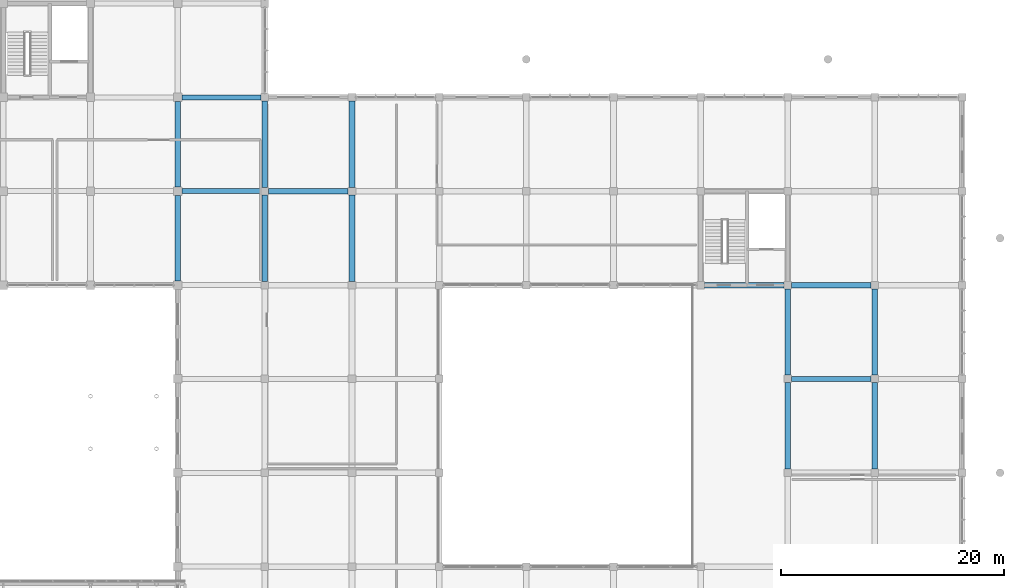
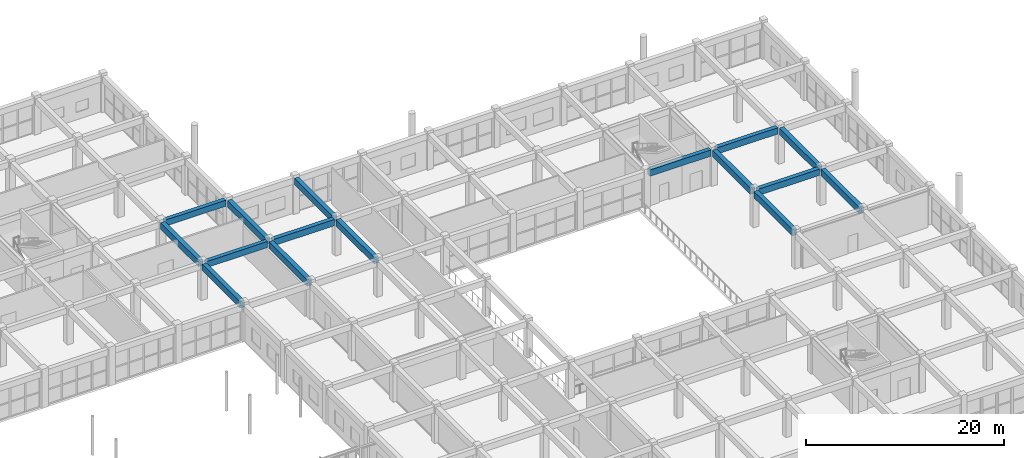
# One storey, part 106 of 175: 16 beams.
"""IFC4 building model written with IfcOpenShell, lengths in metres."""

from ifc_helpers import new_model, si_unit, direction, frame, origin, origin_2d, place, context, subcontext, project, spatial, rectangle, extrude, material, material_profile, profile_set, type_object, element, save


model = new_model("IFC4")

# Units and contexts
model_context = context("Model", 3, precision=1e-05, world=origin(), true_north=direction((0.0, 1.0)))
body_context = subcontext(model_context, "Body", "Model", "MODEL_VIEW")
ifc_project = project(units=[si_unit("LENGTHUNIT", "METRE"), si_unit("AREAUNIT", "SQUARE_METRE"), si_unit("VOLUMEUNIT", "CUBIC_METRE"), si_unit("PLANEANGLEUNIT", "RADIAN"), si_unit("MASSUNIT", "GRAM", prefix="KILO")], contexts=[model_context])

# Site, building, storey
site_placement = place(None, origin())
site = spatial("IfcSite", under=ifc_project, at=site_placement, CompositionType="ELEMENT")
building_placement = place(site_placement, origin())
building = spatial("IfcBuilding", under=site, at=building_placement, Name="Zizhar Promenade General Hospital", CompositionType="ELEMENT")
storey_placement = place(building_placement, frame((0.0, 0.0, 4.800048828125)))
storey = spatial("IfcBuildingStorey", under=building, at=storey_placement, Name="L01", CompositionType="ELEMENT", Elevation=4.800048828125)

# Beams
ifc_material_1 = material(Name="Concrete C35/45", Category="concrete")
ifc_material_profile_1 = material_profile(ifc_material_1, rectangle(XDim=0.449951171875, YDim=0.75, at=origin_2d()))
ifc_profile_set_1 = profile_set([ifc_material_profile_1], Name="Concrete C35/45")
beam_type_1 = type_object("IfcBeamType", Name="BM-RC-450x750", PredefinedType="BEAM", material=ifc_profile_set_1)
for number, where, z_axis, x_axis, name in (
    (1, (125.175048828125, 100.800048828125, 4.094970703125), (1.0, 0.0, 0.0), (0.0, 1.0, 0.0), "Grid Beam X L01 (16-12)"),
    (2, (125.175048828125, 109.199951171875, 4.094970703125), (1.0, 0.0, 0.0), (0.0, 1.0, 0.0), "Grid Beam X L01 (16-13)"),
):
    element("IfcBeam", number, at=place(storey_placement, frame(where, z_axis=z_axis, x_axis=x_axis)), inside=storey, type_object=beam_type_1, Name=name, PredefinedType="BEAM", context=body_context, shape_type="SweptSolid", body=[
        extrude(rectangle(XDim=0.449951171875, YDim=0.75, at=origin_2d()), origin(), (0.0, 0.0, 1.0), 7.0849609375),
    ])
ifc_material_2 = material(Name="Concrete C35/45", Category="concrete")
ifc_material_profile_2 = material_profile(ifc_material_2, rectangle(XDim=0.47998046875, YDim=0.780029296875, at=origin_2d()))
ifc_profile_set_2 = profile_set([ifc_material_profile_2], Name="Concrete C35/45")
beam_type_2 = type_object("IfcBeamType", Name="BM-RC-480x780", PredefinedType="BEAM", material=ifc_profile_set_2)
for number, where, z_axis, x_axis, name in (
    (3, (132.93994140625, 100.800048828125, 4.079833984375), (1.0, 0.0, 0.0), (0.0, 1.0, 0.0), "Grid Beam X L01 (17-12)"),
    (4, (171.93994140625, 92.39990234375, 4.079833984375), (1.0, 0.0, 0.0), (0.0, 1.0, 0.0), "Grid Beam X L01 (22-11)"),
    (5, (179.739990234375, 84.0, 4.079833984375), (1.0, 0.0, 0.0), (0.0, 1.0, 0.0), "Grid Beam X L01 (23-10)"),
    (6, (179.739990234375, 92.39990234375, 4.079833984375), (1.0, 0.0, 0.0), (0.0, 1.0, 0.0), "Grid Beam X L01 (23-11)"),
):
    element("IfcBeam", number, at=place(storey_placement, frame(where, z_axis=z_axis, x_axis=x_axis)), inside=storey, type_object=beam_type_2, Name=name, PredefinedType="BEAM", context=body_context, shape_type="SweptSolid", body=[
        extrude(rectangle(XDim=0.47998046875, YDim=0.780029296875, at=origin_2d()), origin(), (0.0, 0.0, 1.0), 7.1201171875),
    ])
ifc_material_3 = material(Name="Concrete C35/45", Category="concrete")
ifc_material_profile_3 = material_profile(ifc_material_3, rectangle(XDim=0.5, YDim=0.800048828125, at=origin_2d()))
ifc_profile_set_3 = profile_set([ifc_material_profile_3], Name="Concrete C35/45")
beam_type_3 = type_object("IfcBeamType", Name="BM-RC-500x800", PredefinedType="BEAM", material=ifc_profile_set_3)
beam_1_placement = place(storey_placement, frame((124.800048828125, 92.77490234375, 4.070068359375), z_axis=(0.0, 1.0, 0.0), x_axis=(-1.0, 0.0, 0.0)))
element("IfcBeam", 7, at=beam_1_placement, inside=storey, type_object=beam_type_3, Name="Grid Beam Y L01 (16-11)", PredefinedType="BEAM", context=body_context, shape_type="SweptSolid", body=[
    extrude(rectangle(XDim=0.5, YDim=0.800048828125, at=origin_2d()), origin(), (0.0, 0.0, 1.0), 7.650146484375),
])
beam_2_placement = place(storey_placement, frame((124.800048828125, 101.175048828125, 4.070068359375), z_axis=(0.0, 1.0, 0.0), x_axis=(-1.0, 0.0, 0.0)))
element("IfcBeam", 8, at=beam_2_placement, inside=storey, type_object=beam_type_3, Name="Grid Beam Y L01 (16-12)", PredefinedType="BEAM", context=body_context, shape_type="SweptSolid", body=[
    extrude(rectangle(XDim=0.5, YDim=0.800048828125, at=origin_2d()), origin(), (0.0, 0.0, 1.0), 7.64990234375),
])
beam_3_placement = place(storey_placement, frame((132.60009765625, 92.739990234375, 4.070068359375), z_axis=(0.0, 1.0, 0.0), x_axis=(-1.0, 0.0, 0.0)))
element("IfcBeam", 9, at=beam_3_placement, inside=storey, type_object=beam_type_3, Name="Grid Beam Y L01 (17-11)", PredefinedType="BEAM", context=body_context, shape_type="SweptSolid", body=[
    extrude(rectangle(XDim=0.5, YDim=0.800048828125, at=origin_2d()), origin(), (0.0, 0.0, 1.0), 7.719970703125),
])
beam_4_placement = place(storey_placement, frame((132.60009765625, 101.139892578125, 4.070068359375), z_axis=(0.0, 1.0, 0.0), x_axis=(-1.0, 0.0, 0.0)))
element("IfcBeam", 10, at=beam_4_placement, inside=storey, type_object=beam_type_3, Name="Grid Beam Y L01 (17-12)", PredefinedType="BEAM", context=body_context, shape_type="SweptSolid", body=[
    extrude(rectangle(XDim=0.5, YDim=0.800048828125, at=origin_2d()), origin(), (0.0, 0.0, 1.0), 7.72021484375),
])
beam_5_placement = place(storey_placement, frame((140.39990234375, 92.739990234375, 4.070068359375), z_axis=(0.0, 1.0, 0.0), x_axis=(-1.0, 0.0, 0.0)))
element("IfcBeam", 11, at=beam_5_placement, inside=storey, type_object=beam_type_3, Name="Grid Beam Y L01 (18-11)", PredefinedType="BEAM", context=body_context, shape_type="SweptSolid", body=[
    extrude(rectangle(XDim=0.5, YDim=0.800048828125, at=origin_2d()), origin(), (0.0, 0.0, 1.0), 7.719970703125),
])
beam_6_placement = place(storey_placement, frame((140.39990234375, 101.139892578125, 4.070068359375), z_axis=(0.0, 1.0, 0.0), x_axis=(-1.0, 0.0, 0.0)))
element("IfcBeam", 12, at=beam_6_placement, inside=storey, type_object=beam_type_3, Name="Grid Beam Y L01 (18-12)", PredefinedType="BEAM", context=body_context, shape_type="SweptSolid", body=[
    extrude(rectangle(XDim=0.5, YDim=0.800048828125, at=origin_2d()), origin(), (0.0, 0.0, 1.0), 7.72021484375),
])
for number, where, z_axis, x_axis, name in (
    (13, (179.39990234375, 75.93994140625, 4.070068359375), (0.0, 1.0, 0.0), (-1.0, 0.0, 0.0), "Grid Beam Y L01 (23-9)"),
    (14, (179.39990234375, 84.340087890625, 4.070068359375), (0.0, 1.0, 0.0), (-1.0, 0.0, 0.0), "Grid Beam Y L01 (23-10)"),
    (15, (187.199951171875, 75.93994140625, 4.070068359375), (0.0, 1.0, 0.0), (-1.0, 0.0, 0.0), "Grid Beam Y L01 (24-9)"),
    (16, (187.199951171875, 84.340087890625, 4.070068359375), (0.0, 1.0, 0.0), (-1.0, 0.0, 0.0), "Grid Beam Y L01 (24-10)"),
):
    element("IfcBeam", number, at=place(storey_placement, frame(where, z_axis=z_axis, x_axis=x_axis)), inside=storey, type_object=beam_type_3, Name=name, PredefinedType="BEAM", context=body_context, shape_type="SweptSolid", body=[
        extrude(rectangle(XDim=0.5, YDim=0.800048828125, at=origin_2d()), origin(), (0.0, 0.0, 1.0), 7.719970703125),
    ])

save(model, "model.ifc")
